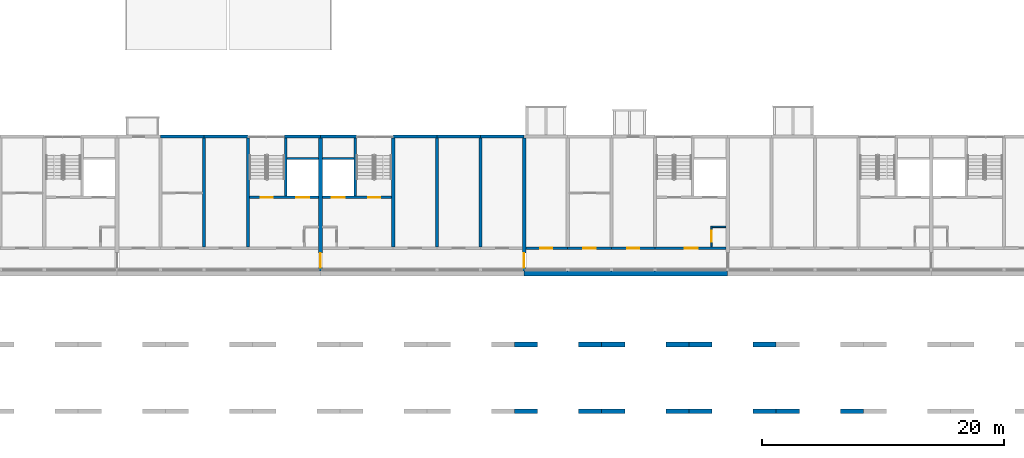
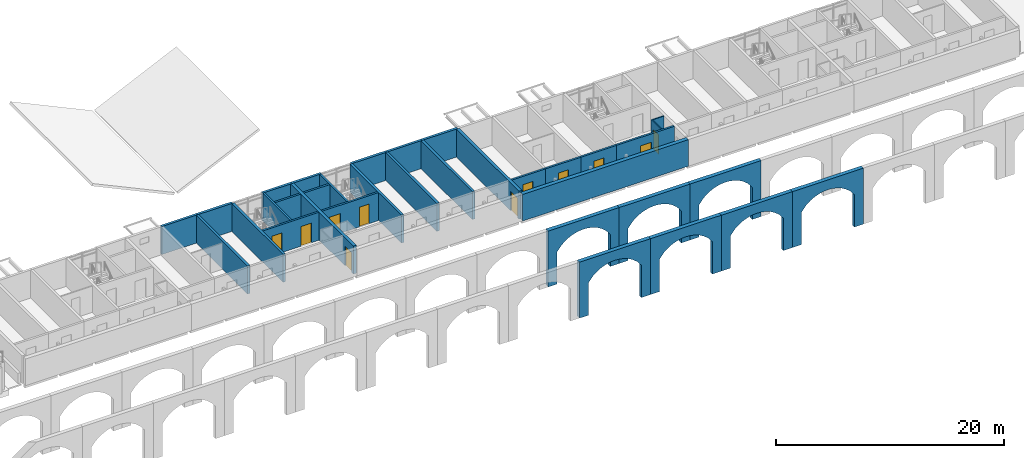
# One storey, part 55 of 122: 34 walls, 11 doors, 11 openings.
"""IFC4 building model written with IfcOpenShell, lengths in metres."""

from ifc_helpers import new_model, si_unit, direction, frame, frame_2d, origin, place, context, subcontext, project, spatial, polyline, rectangle, outline, extrude, material, layer, layer_set, type_object, element, fill, save


model = new_model("IFC4")

# Units and contexts
model_context = context("Model", 3, precision=1e-05, world=origin(), true_north=direction((0.0, 1.0)))
body_context = subcontext(model_context, "Body", "Model", "MODEL_VIEW")
ifc_project = project(units=[si_unit("LENGTHUNIT", "METRE"), si_unit("AREAUNIT", "SQUARE_METRE"), si_unit("VOLUMEUNIT", "CUBIC_METRE"), si_unit("PLANEANGLEUNIT", "RADIAN"), si_unit("MASSUNIT", "GRAM", prefix="KILO")], contexts=[model_context])

# Site, building, storey
site_placement = place(None, origin())
site = spatial("IfcSite", under=ifc_project, at=site_placement, CompositionType="ELEMENT")
building_placement = place(site_placement, origin())
building = spatial("IfcBuilding", under=site, at=building_placement, Name="Ridgestep Commons", CompositionType="ELEMENT")
storey_placement = place(building_placement, frame((0.0, 0.0, 3.0)))
storey = spatial("IfcBuildingStorey", under=building, at=storey_placement, Name="L01", CompositionType="ELEMENT", Elevation=3.0)

# Walls
ifc_material_1 = material(Name="Precast concrete C40/50", Category="concrete")
ifc_layer_1 = layer(ifc_material_1, 0.39990234375)
ifc_layer_set_1 = layer_set([ifc_layer_1], Name="Community south arcade inner wall 400")
wall_type_1 = type_object("IfcWallType", Name="Community south arcade inner wall 400", PredefinedType="SOLIDWALL", material=ifc_layer_set_1)
wall_1_placement = place(storey_placement, frame((61.60009765625, 5.5, -3.25), z_axis=(0.0, -1.0, 0.0), x_axis=(1.0, 0.0, 0.0)))
element("IfcWall", 1, at=wall_1_placement, inside=storey, type_object=wall_type_1, Name="South arcade inner wall", PredefinedType="SOLIDWALL", context=body_context, shape_type="SweptSolid", body=[
    extrude(outline(polyline([(0.0, 0.0), (0.89990234375, 0.0), (0.89990234375, 3.449951171875), (1.349853515625, 4.01708984375), (1.7998046875, 4.3916015625), (2.25, 4.649169921875), (2.699951171875, 4.820068359375), (3.14990234375, 4.91796875), (3.599853515625, 4.949951171875), (4.0498046875, 4.91796875), (4.5, 4.820068359375), (4.949951171875, 4.649169921875), (5.39990234375, 4.3916015625), (5.849853515625, 4.01708984375), (6.2998046875, 3.449951171875), (6.2998046875, 0.0), (7.199951171875, 0.0), (7.199951171875, 6.0), (0.0, 6.0), (0.0, 0.0)])), origin(), (0.0, 0.0, -1.0), 0.39990234375),
])
wall_2_placement = place(storey_placement, frame((68.800048828125, 5.5, -3.25), z_axis=(0.0, -1.0, 0.0), x_axis=(1.0, 0.0, 0.0)))
element("IfcWall", 2, at=wall_2_placement, inside=storey, type_object=wall_type_1, Name="South arcade inner wall", PredefinedType="SOLIDWALL", context=body_context, shape_type="SweptSolid", body=[
    extrude(outline(polyline([(0.0, 0.0), (0.89990234375, 0.0), (0.89990234375, 3.449951171875), (1.349853515625, 4.01708984375), (1.800048828125, 4.3916015625), (2.25, 4.649169921875), (2.699951171875, 4.820068359375), (3.14990234375, 4.91796875), (3.599853515625, 4.949951171875), (4.050048828125, 4.91796875), (4.5, 4.820068359375), (4.949951171875, 4.649169921875), (5.39990234375, 4.3916015625), (5.849853515625, 4.01708984375), (6.300048828125, 3.449951171875), (6.300048828125, 0.0), (7.199951171875, 0.0), (7.199951171875, 6.0), (0.0, 6.0), (0.0, 0.0)])), origin(), (0.0, 0.0, -1.0), 0.39990234375),
])
wall_3_placement = place(storey_placement, frame((76.0, 5.5, -3.25), z_axis=(0.0, -1.0, 0.0), x_axis=(1.0, 0.0, 0.0)))
element("IfcWall", 3, at=wall_3_placement, inside=storey, type_object=wall_type_1, Name="South arcade inner wall", PredefinedType="SOLIDWALL", context=body_context, shape_type="SweptSolid", body=[
    extrude(outline(polyline([(0.0, 0.0), (0.89990234375, 0.0), (0.89990234375, 3.449951171875), (1.35009765625, 4.01708984375), (1.800048828125, 4.3916015625), (2.25, 4.649169921875), (2.699951171875, 4.820068359375), (3.14990234375, 4.91796875), (3.60009765625, 4.949951171875), (4.050048828125, 4.91796875), (4.5, 4.820068359375), (4.949951171875, 4.649169921875), (5.39990234375, 4.3916015625), (5.85009765625, 4.01708984375), (6.300048828125, 3.449951171875), (6.300048828125, 0.0), (7.199951171875, 0.0), (7.199951171875, 6.0), (0.0, 6.0), (0.0, 0.0)])), origin(), (0.0, 0.0, -1.0), 0.39990234375),
])
ifc_material_2 = material(Name="Precast concrete C40/50", Category="concrete")
ifc_layer_2 = layer(ifc_material_2, 0.39990234375)
ifc_layer_set_2 = layer_set([ifc_layer_2], Name="Community south arcade wall 400")
wall_type_2 = type_object("IfcWallType", Name="Community south arcade wall 400", PredefinedType="SOLIDWALL", material=ifc_layer_set_2)
wall_4_placement = place(storey_placement, frame((61.60009765625, 0.001953125, -3.25), z_axis=(0.0, -1.0, 0.0), x_axis=(1.0, 0.0, 0.0)))
element("IfcWall", 4, at=wall_4_placement, inside=storey, type_object=wall_type_2, Name="South arcade wall", PredefinedType="SOLIDWALL", context=body_context, shape_type="SweptSolid", body=[
    extrude(outline(polyline([(0.0, 0.0), (0.89990234375, 0.0), (0.89990234375, 3.449951171875), (1.349853515625, 4.01708984375), (1.7998046875, 4.3916015625), (2.25, 4.649169921875), (2.699951171875, 4.820068359375), (3.14990234375, 4.91796875), (3.599853515625, 4.949951171875), (4.0498046875, 4.91796875), (4.5, 4.820068359375), (4.949951171875, 4.649169921875), (5.39990234375, 4.3916015625), (5.849853515625, 4.01708984375), (6.2998046875, 3.449951171875), (6.2998046875, 0.0), (7.199951171875, 0.0), (7.199951171875, 6.0), (0.0, 6.0), (0.0, 0.0)])), origin(), (0.0, 0.0, -1.0), 0.39990234375),
])
wall_5_placement = place(storey_placement, frame((68.800048828125, 0.001953125, -3.25), z_axis=(0.0, -1.0, 0.0), x_axis=(1.0, 0.0, 0.0)))
element("IfcWall", 5, at=wall_5_placement, inside=storey, type_object=wall_type_2, Name="South arcade wall", PredefinedType="SOLIDWALL", context=body_context, shape_type="SweptSolid", body=[
    extrude(outline(polyline([(0.0, 0.0), (0.89990234375, 0.0), (0.89990234375, 3.449951171875), (1.349853515625, 4.01708984375), (1.800048828125, 4.3916015625), (2.25, 4.649169921875), (2.699951171875, 4.820068359375), (3.14990234375, 4.91796875), (3.599853515625, 4.949951171875), (4.050048828125, 4.91796875), (4.5, 4.820068359375), (4.949951171875, 4.649169921875), (5.39990234375, 4.3916015625), (5.849853515625, 4.01708984375), (6.300048828125, 3.449951171875), (6.300048828125, 0.0), (7.199951171875, 0.0), (7.199951171875, 6.0), (0.0, 6.0), (0.0, 0.0)])), origin(), (0.0, 0.0, -1.0), 0.39990234375),
])
wall_6_placement = place(storey_placement, frame((76.0, 0.001953125, -3.25), z_axis=(0.0, -1.0, 0.0), x_axis=(1.0, 0.0, 0.0)))
element("IfcWall", 6, at=wall_6_placement, inside=storey, type_object=wall_type_2, Name="South arcade wall", PredefinedType="SOLIDWALL", context=body_context, shape_type="SweptSolid", body=[
    extrude(outline(polyline([(0.0, 0.0), (0.89990234375, 0.0), (0.89990234375, 3.449951171875), (1.35009765625, 4.01708984375), (1.800048828125, 4.3916015625), (2.25, 4.649169921875), (2.699951171875, 4.820068359375), (3.14990234375, 4.91796875), (3.60009765625, 4.949951171875), (4.050048828125, 4.91796875), (4.5, 4.820068359375), (4.949951171875, 4.649169921875), (5.39990234375, 4.3916015625), (5.85009765625, 4.01708984375), (6.300048828125, 3.449951171875), (6.300048828125, 0.0), (7.199951171875, 0.0), (7.199951171875, 6.0), (0.0, 6.0), (0.0, 0.0)])), origin(), (0.0, 0.0, -1.0), 0.39990234375),
])
wall_7_placement = place(storey_placement, frame((83.199951171875, 0.001953125, -3.25), z_axis=(0.0, -1.0, 0.0), x_axis=(1.0, 0.0, 0.0)))
element("IfcWall", 7, at=wall_7_placement, inside=storey, type_object=wall_type_2, Name="South arcade wall", PredefinedType="SOLIDWALL", context=body_context, shape_type="SweptSolid", body=[
    extrude(outline(polyline([(0.0, 0.0), (0.900146484375, 0.0), (0.900146484375, 3.449951171875), (1.35009765625, 4.01708984375), (1.800048828125, 4.3916015625), (2.25, 4.649169921875), (2.699951171875, 4.820068359375), (3.150146484375, 4.91796875), (3.60009765625, 4.949951171875), (4.050048828125, 4.91796875), (4.5, 4.820068359375), (4.949951171875, 4.649169921875), (5.400146484375, 4.3916015625), (5.85009765625, 4.01708984375), (6.300048828125, 3.449951171875), (6.300048828125, 0.0), (7.199951171875, 0.0), (7.199951171875, 6.0), (0.0, 6.0), (0.0, 0.0)])), origin(), (0.0, 0.0, -1.0), 0.39990234375),
])
ifc_material_3 = material(Name="Concrete C30/37", Category="concrete")
ifc_layer_3 = layer(ifc_material_3, 0.25)
ifc_layer_set_3 = layer_set([ifc_layer_3], Name="Core cross wall 250")
wall_type_3 = type_object("IfcWallType", Name="Core cross wall 250", PredefinedType="SHEAR", material=ifc_layer_set_3)
for number, where, z_axis, x_axis, name in (
    (8, (39.60009765625, 13.75, 0.0), (0.0, 0.0, 1.0), (0.0, 1.0, 0.0), "Cross wall A-01-0396"),
    (9, (51.60009765625, 13.75, 0.0), (0.0, 0.0, 1.0), (0.0, 1.0, 0.0), "Cross wall A-01-0516"),
):
    element("IfcWall", number, at=place(storey_placement, frame(where, z_axis=z_axis, x_axis=x_axis)), inside=storey, type_object=wall_type_3, Name=name, PredefinedType="SHEAR", context=body_context, shape_type="SweptSolid", body=[
        extrude(rectangle(XDim=9.0, YDim=0.25, at=frame_2d((4.5, 0.0))), origin(), (0.0, 0.0, 1.0), 3.0),
    ])

# Wall, opening, door
ifc_material_4 = material(Name="Concrete C30/37", Category="concrete")
ifc_layer_4 = layer(ifc_material_4, 0.199951171875)
ifc_layer_set_4 = layer_set([ifc_layer_4], Name="Core south wall 200")
wall_type_4 = type_object("IfcWallType", Name="Core south wall 200", PredefinedType="SHEAR", material=ifc_layer_set_4)
wall_8_placement = place(storey_placement, frame((73.199951171875, 13.64990234375, 0.0), z_axis=(0.0, 0.0, 1.0), x_axis=(1.0, 0.0, 0.0)))
wall_8 = element("IfcWall", 10, at=wall_8_placement, inside=storey, type_object=wall_type_4, Name="Core south wall A4C L01", PredefinedType="SHEAR", context=body_context, shape_type="SweptSolid", body=[
    extrude(rectangle(XDim=5.85009765625, YDim=0.199951171875, at=frame_2d((2.925048828125, 0.0))), origin(), (0.0, 0.0, 1.0), 3.0),
])
opening_1_placement = place(wall_8_placement, frame((2.4375, 0.0, 0.0)))
opening_1 = element("IfcOpeningElement", 11, at=opening_1_placement, cuts=wall_8, Name="Opening A4C/01/1", PredefinedType="OPENING", context=body_context, shape_type="SweptSolid", body=[
    extrude(rectangle(XDim=1.10009765625, YDim=2.10009765625, at=frame_2d((0.550048828125, 1.050048828125))), frame((0.0, 0.10986328125, 0.0), z_axis=(0.0, -1.0, 0.0), x_axis=(1.0, 0.0, 0.0)), (0.0, 0.0, 1.0), 0.219970703125),
])
ifc_material_5 = material(Name="Steel fire door", Category="steel")
door_type_1 = type_object("IfcDoorType", Name="Lobby door 1100 x 2100 FD60", OperationType="NOTDEFINED", PredefinedType="DOOR", material=ifc_material_5)
door_1_placement = place(opening_1_placement, origin())
door_1 = element("IfcDoor", 12, at=door_1_placement, inside=storey, type_object=door_type_1, Name="Lobby door A4C/01/1", OperationType="SINGLE_SWING_LEFT", OverallHeight=2.10009765625, OverallWidth=1.10009765625, PredefinedType="DOOR", context=body_context, shape_type="SweptSolid", body=[
    extrude(rectangle(XDim=1.10009765625, YDim=2.10009765625, at=frame_2d((0.550048828125, 1.050048828125))), frame((0.0, 0.02490234375, 0.0), z_axis=(0.0, -1.0, 0.0), x_axis=(1.0, 0.0, 0.0)), (0.0, 0.0, 1.0), 0.050048828125),
])
fill(opening_1, door_1)

ifc_material_6 = material(Name="Concrete C30/37", Category="concrete")
ifc_layer_5 = layer(ifc_material_6, 0.1201171875)
ifc_layer_set_5 = layer_set([ifc_layer_5], Name="Core wall 120")
wall_type_5 = type_object("IfcWallType", Name="Core wall 120", PredefinedType="SHEAR", material=ifc_layer_set_5)
wall_9_placement = place(storey_placement, frame((77.860107421875, 13.75, 0.0), z_axis=(0.0, 0.0, 1.0), x_axis=(0.0, 1.0, 0.0)))
wall_9 = element("IfcWall", 13, at=wall_9_placement, inside=storey, type_object=wall_type_5, Name="Core riser w wall A4C L01", PredefinedType="SHEAR", context=body_context, shape_type="SweptSolid", body=[
    extrude(rectangle(XDim=1.719970703125, YDim=0.1201171875, at=frame_2d((0.85986328125, 0.0))), origin(), (0.0, 0.0, 1.0), 3.0),
])
opening_2_placement = place(wall_9_placement, frame((0.449951171875, 0.0, 0.0)))
opening_2 = element("IfcOpeningElement", 14, at=opening_2_placement, cuts=wall_9, Name="Opening A4C/01/4", PredefinedType="OPENING", context=body_context, shape_type="SweptSolid", body=[
    extrude(rectangle(XDim=0.89990234375, YDim=2.10009765625, at=frame_2d((0.449951171875, 1.050048828125))), frame((0.0, 0.070068359375, 0.0), z_axis=(0.0, -1.0, 0.0), x_axis=(1.0, 0.0, 0.0)), (0.0, 0.0, 1.0), 0.14013671875),
])
ifc_material_7 = material(Name="Steel fire door", Category="steel")
door_type_2 = type_object("IfcDoorType", Name="Riser door 900 x 2100 FD60", OperationType="NOTDEFINED", PredefinedType="DOOR", material=ifc_material_7)
door_2_placement = place(opening_2_placement, origin())
door_2 = element("IfcDoor", 15, at=door_2_placement, inside=storey, type_object=door_type_2, Name="Riser door A4C/01/4", OperationType="SINGLE_SWING_LEFT", OverallHeight=2.10009765625, OverallWidth=0.89990234375, PredefinedType="DOOR", context=body_context, shape_type="SweptSolid", body=[
    extrude(rectangle(XDim=0.89990234375, YDim=2.10009765625, at=frame_2d((0.449951171875, 1.050048828125))), frame((0.0, 0.02490234375, 0.0), z_axis=(0.0, -1.0, 0.0), x_axis=(1.0, 0.0, 0.0)), (0.0, 0.0, 1.0), 0.050048828125),
])
fill(opening_2, door_2)

# Wall
wall_10_placement = place(storey_placement, frame((77.919921875, 15.409912109375, 0.0), z_axis=(0.0, 0.0, 1.0), x_axis=(1.0, 0.0, 0.0)))
element("IfcWall", 16, at=wall_10_placement, inside=storey, type_object=wall_type_5, Name="Core riser n wall A4C L01", PredefinedType="SHEAR", context=body_context, shape_type="SweptSolid", body=[
    extrude(rectangle(XDim=1.130126953125, YDim=0.1201171875, at=frame_2d((0.56494140625, 0.0))), origin(), (0.0, 0.0, 1.0), 3.0),
])

# Wall, openings, doors
ifc_material_8 = material(Name="Concrete C30/37", Category="concrete")
ifc_layer_6 = layer(ifc_material_8, 0.199951171875)
ifc_layer_set_6 = layer_set([ifc_layer_6], Name="Core wall 200")
wall_type_6 = type_object("IfcWallType", Name="Core wall 200", PredefinedType="SHEAR", material=ifc_layer_set_6)
wall_11_placement = place(storey_placement, frame((39.72509765625, 17.85009765625, 0.0), z_axis=(0.0, 0.0, 1.0), x_axis=(1.0, 0.0, 0.0)))
wall_11 = element("IfcWall", 17, at=wall_11_placement, inside=storey, type_object=wall_type_6, Name="Core lobby wall A2C L01", PredefinedType="SHEAR", context=body_context, shape_type="SweptSolid", body=[
    extrude(rectangle(XDim=5.724853515625, YDim=0.199951171875, at=frame_2d((2.8623046875, 0.0))), origin(), (0.0, 0.0, 1.0), 3.0),
])
opening_3_placement = place(wall_11_placement, frame((0.949951171875, 0.0, 0.0)))
opening_3 = element("IfcOpeningElement", 18, at=opening_3_placement, cuts=wall_11, Name="Opening A2C/01/2", PredefinedType="OPENING", context=body_context, shape_type="SweptSolid", body=[
    extrude(rectangle(XDim=1.0, YDim=2.10009765625, at=frame_2d((0.5, 1.050048828125))), frame((0.0, 0.10986328125, 0.0), z_axis=(0.0, -1.0, 0.0), x_axis=(1.0, 0.0, 0.0)), (0.0, 0.0, 1.0), 0.219970703125),
])
opening_4_placement = place(wall_11_placement, frame((3.862548828125, 0.0, 0.0)))
opening_4 = element("IfcOpeningElement", 19, at=opening_4_placement, cuts=wall_11, Name="Opening A2C/01/3", PredefinedType="OPENING", context=body_context, shape_type="SweptSolid", body=[
    extrude(rectangle(XDim=1.10009765625, YDim=2.10009765625, at=frame_2d((0.550048828125, 1.050048828125))), frame((0.0, 0.10986328125, 0.0), z_axis=(0.0, -1.0, 0.0), x_axis=(1.0, 0.0, 0.0)), (0.0, 0.0, 1.0), 0.219970703125),
])
ifc_material_9 = material(Name="Stainless steel", Category="steel")
door_type_3 = type_object("IfcDoorType", Name="Lift landing door 1100 x 2100 FD60", OperationType="DOUBLE_DOOR_SLIDING", PredefinedType="DOOR", material=ifc_material_9)
door_3_placement = place(opening_4_placement, origin())
door_3 = element("IfcDoor", 20, at=door_3_placement, inside=storey, type_object=door_type_3, Name="Landing door LD A2C L01", OperationType="DOUBLE_DOOR_SLIDING", OverallHeight=2.10009765625, OverallWidth=1.10009765625, PredefinedType="DOOR", context=body_context, shape_type="SweptSolid", body=[
    extrude(rectangle(XDim=1.10009765625, YDim=2.10009765625, at=frame_2d((0.550048828125, 1.050048828125))), frame((0.0, 0.02490234375, 0.0), z_axis=(0.0, -1.0, 0.0), x_axis=(1.0, 0.0, 0.0)), (0.0, 0.0, 1.0), 0.050048828125),
])
fill(opening_4, door_3)
ifc_material_10 = material(Name="Steel fire door", Category="steel")
door_type_4 = type_object("IfcDoorType", Name="Stair door 1000 x 2100 FD60", OperationType="NOTDEFINED", PredefinedType="DOOR", material=ifc_material_10)
door_4_placement = place(opening_3_placement, origin())
door_4 = element("IfcDoor", 21, at=door_4_placement, inside=storey, type_object=door_type_4, Name="Stair door A2C/01/2", OperationType="SINGLE_SWING_RIGHT", OverallHeight=2.10009765625, OverallWidth=1.0, PredefinedType="DOOR", context=body_context, shape_type="SweptSolid", body=[
    extrude(rectangle(XDim=1.0, YDim=2.10009765625, at=frame_2d((0.5, 1.050048828125))), frame((0.0, 0.02490234375, 0.0), z_axis=(0.0, -1.0, 0.0), x_axis=(1.0, 0.0, 0.0)), (0.0, 0.0, 1.0), 0.050048828125),
])
fill(opening_3, door_4)

# Walls
wall_12_placement = place(storey_placement, frame((42.72509765625, 17.949951171875, 0.0), z_axis=(0.0, 0.0, 1.0), x_axis=(0.0, 1.0, 0.0)))
element("IfcWall", 22, at=wall_12_placement, inside=storey, type_object=wall_type_6, Name="Core stair wall A2C L01", PredefinedType="SHEAR", context=body_context, shape_type="SweptSolid", body=[
    extrude(rectangle(XDim=4.800048828125, YDim=0.199951171875, at=frame_2d((2.39990234375, 0.0))), origin(), (0.0, 0.0, 1.0), 3.0),
])
wall_13_placement = place(storey_placement, frame((42.824951171875, 21.050048828125, 0.0), z_axis=(0.0, 0.0, 1.0), x_axis=(1.0, 0.0, 0.0)))
element("IfcWall", 23, at=wall_13_placement, inside=storey, type_object=wall_type_6, Name="Core duct wall A2C L01", PredefinedType="SHEAR", context=body_context, shape_type="SweptSolid", body=[
    extrude(rectangle(XDim=2.625, YDim=0.199951171875, at=frame_2d((1.3125, 0.0))), origin(), (0.0, 0.0, 1.0), 3.0),
])

# Wall, openings, doors
wall_14_placement = place(storey_placement, frame((45.75, 17.85009765625, 0.0), z_axis=(0.0, 0.0, 1.0), x_axis=(1.0, 0.0, 0.0)))
wall_14 = element("IfcWall", 24, at=wall_14_placement, inside=storey, type_object=wall_type_6, Name="Core lobby wall A3C L01", PredefinedType="SHEAR", context=body_context, shape_type="SweptSolid", body=[
    extrude(rectangle(XDim=5.72509765625, YDim=0.199951171875, at=frame_2d((2.862548828125, 0.0))), origin(), (0.0, 0.0, 1.0), 3.0),
])
opening_5_placement = place(wall_14_placement, frame((3.77490234375, 0.0, 0.0)))
opening_5 = element("IfcOpeningElement", 25, at=opening_5_placement, cuts=wall_14, Name="Opening A3C/01/2", PredefinedType="OPENING", context=body_context, shape_type="SweptSolid", body=[
    extrude(rectangle(XDim=1.0, YDim=2.10009765625, at=frame_2d((0.5, 1.050048828125))), frame((0.0, 0.10986328125, 0.0), z_axis=(0.0, -1.0, 0.0), x_axis=(1.0, 0.0, 0.0)), (0.0, 0.0, 1.0), 0.219970703125),
])
opening_6_placement = place(wall_14_placement, frame((0.762451171875, 0.0, 0.0)))
opening_6 = element("IfcOpeningElement", 26, at=opening_6_placement, cuts=wall_14, Name="Opening A3C/01/3", PredefinedType="OPENING", context=body_context, shape_type="SweptSolid", body=[
    extrude(rectangle(XDim=1.10009765625, YDim=2.10009765625, at=frame_2d((0.550048828125, 1.050048828125))), frame((0.0, 0.10986328125, 0.0), z_axis=(0.0, -1.0, 0.0), x_axis=(1.0, 0.0, 0.0)), (0.0, 0.0, 1.0), 0.219970703125),
])
door_5_placement = place(opening_6_placement, origin())
door_5 = element("IfcDoor", 27, at=door_5_placement, inside=storey, type_object=door_type_3, Name="Landing door LD A3C L01", OperationType="DOUBLE_DOOR_SLIDING", OverallHeight=2.10009765625, OverallWidth=1.10009765625, PredefinedType="DOOR", context=body_context, shape_type="SweptSolid", body=[
    extrude(rectangle(XDim=1.10009765625, YDim=2.10009765625, at=frame_2d((0.550048828125, 1.050048828125))), frame((0.0, 0.02490234375, 0.0), z_axis=(0.0, -1.0, 0.0), x_axis=(1.0, 0.0, 0.0)), (0.0, 0.0, 1.0), 0.050048828125),
])
fill(opening_6, door_5)
door_6_placement = place(opening_5_placement, origin())
door_6 = element("IfcDoor", 28, at=door_6_placement, inside=storey, type_object=door_type_4, Name="Stair door A3C/01/2", OperationType="SINGLE_SWING_RIGHT", OverallHeight=2.10009765625, OverallWidth=1.0, PredefinedType="DOOR", context=body_context, shape_type="SweptSolid", body=[
    extrude(rectangle(XDim=1.0, YDim=2.10009765625, at=frame_2d((0.5, 1.050048828125))), frame((0.0, 0.02490234375, 0.0), z_axis=(0.0, -1.0, 0.0), x_axis=(1.0, 0.0, 0.0)), (0.0, 0.0, 1.0), 0.050048828125),
])
fill(opening_5, door_6)

# Walls
wall_15_placement = place(storey_placement, frame((48.47509765625, 17.949951171875, 0.0), z_axis=(0.0, 0.0, 1.0), x_axis=(0.0, 1.0, 0.0)))
element("IfcWall", 29, at=wall_15_placement, inside=storey, type_object=wall_type_6, Name="Core stair wall A3C L01", PredefinedType="SHEAR", context=body_context, shape_type="SweptSolid", body=[
    extrude(rectangle(XDim=4.800048828125, YDim=0.199951171875, at=frame_2d((2.39990234375, 0.0))), origin(), (0.0, 0.0, 1.0), 3.0),
])
wall_16_placement = place(storey_placement, frame((45.75, 21.050048828125, 0.0), z_axis=(0.0, 0.0, 1.0), x_axis=(1.0, 0.0, 0.0)))
element("IfcWall", 30, at=wall_16_placement, inside=storey, type_object=wall_type_6, Name="Core duct wall A3C L01", PredefinedType="SHEAR", context=body_context, shape_type="SweptSolid", body=[
    extrude(rectangle(XDim=2.625, YDim=0.199951171875, at=frame_2d((1.3125, 0.0))), origin(), (0.0, 0.0, 1.0), 3.0),
])
ifc_material_11 = material(Name="Precast concrete C40/50", Category="concrete")
ifc_layer_7 = layer(ifc_material_11, 0.25)
ifc_layer_set_7 = layer_set([ifc_layer_7], Name="Cross wall 250")
wall_type_7 = type_object("IfcWallType", Name="Cross wall 250", PredefinedType="SHEAR", material=ifc_layer_set_7)
for number, where, z_axis, x_axis, name in (
    (31, (36.0, 13.75, 0.0), (0.0, 0.0, 1.0), (0.0, 1.0, 0.0), "Cross wall A-01-0360"),
    (32, (55.199951171875, 13.75, 0.0), (0.0, 0.0, 1.0), (0.0, 1.0, 0.0), "Cross wall A-01-0552"),
    (33, (58.800048828125, 13.75, 0.0), (0.0, 0.0, 1.0), (0.0, 1.0, 0.0), "Cross wall A-01-0588"),
):
    element("IfcWall", number, at=place(storey_placement, frame(where, z_axis=z_axis, x_axis=x_axis)), inside=storey, type_object=wall_type_7, Name=name, PredefinedType="SHEAR", context=body_context, shape_type="SweptSolid", body=[
        extrude(rectangle(XDim=9.0, YDim=0.25, at=frame_2d((4.5, 0.0))), origin(), (0.0, 0.0, 1.0), 3.0),
    ])

# Wall, opening, door
ifc_material_12 = material(Name="Precast concrete C40/50", Category="concrete")
ifc_layer_8 = layer(ifc_material_12, 0.300048828125)
ifc_layer_set_8 = layer_set([ifc_layer_8], Name="Division wall 300")
wall_type_8 = type_object("IfcWallType", Name="Division wall 300", PredefinedType="SHEAR", material=ifc_layer_set_8)
wall_17_placement = place(storey_placement, frame((45.60009765625, 11.75, 0.0), z_axis=(0.0, 0.0, 1.0), x_axis=(0.0, 1.0, 0.0)))
wall_17 = element("IfcWall", 34, at=wall_17_placement, inside=storey, type_object=wall_type_8, Name="Cross wall A-01-0456", PredefinedType="SHEAR", context=body_context, shape_type="SweptSolid", body=[
    extrude(rectangle(XDim=11.0, YDim=0.300048828125, at=frame_2d((5.5, 0.0))), origin(), (0.0, 0.0, 1.0), 3.0),
])
opening_7_placement = place(wall_17_placement, frame((0.300048828125, 0.0, 0.0)))
opening_7 = element("IfcOpeningElement", 35, at=opening_7_placement, cuts=wall_17, Name="Opening A/01/G0456", PredefinedType="OPENING", context=body_context, shape_type="SweptSolid", body=[
    extrude(rectangle(XDim=1.199951171875, YDim=2.10009765625, at=frame_2d((0.60009765625, 1.050048828125))), frame((0.0, 0.159912109375, 0.0), z_axis=(0.0, -1.0, 0.0), x_axis=(1.0, 0.0, 0.0)), (0.0, 0.0, 1.0), 0.320068359375),
])
ifc_material_13 = material(Name="Steel fire door", Category="steel")
door_type_5 = type_object("IfcDoorType", Name="Division fire door 1200 x 2100 EI 240", OperationType="DOUBLE_DOOR_SINGLE_SWING", PredefinedType="DOOR", material=ifc_material_13)
door_7_placement = place(opening_7_placement, origin())
door_7 = element("IfcDoor", 36, at=door_7_placement, inside=storey, type_object=door_type_5, Name="Division fire door A/01/G0456", OperationType="DOUBLE_DOOR_SINGLE_SWING", OverallHeight=2.10009765625, OverallWidth=1.199951171875, PredefinedType="DOOR", context=body_context, shape_type="SweptSolid", body=[
    extrude(rectangle(XDim=1.199951171875, YDim=2.10009765625, at=frame_2d((0.60009765625, 1.050048828125))), frame((0.0, 0.02490234375, 0.0), z_axis=(0.0, -1.0, 0.0), x_axis=(1.0, 0.0, 0.0)), (0.0, 0.0, 1.0), 0.050048828125),
])
fill(opening_7, door_7)

wall_18_placement = place(storey_placement, frame((62.39990234375, 11.75, 0.0), z_axis=(0.0, 0.0, 1.0), x_axis=(0.0, 1.0, 0.0)))
wall_18 = element("IfcWall", 37, at=wall_18_placement, inside=storey, type_object=wall_type_8, Name="Cross wall A-01-0624", PredefinedType="SHEAR", context=body_context, shape_type="SweptSolid", body=[
    extrude(rectangle(XDim=11.0, YDim=0.300048828125, at=frame_2d((5.5, 0.0))), origin(), (0.0, 0.0, 1.0), 3.0),
])
opening_8_placement = place(wall_18_placement, frame((0.300048828125, 0.0, 0.0)))
opening_8 = element("IfcOpeningElement", 38, at=opening_8_placement, cuts=wall_18, Name="Opening A/01/G0624", PredefinedType="OPENING", context=body_context, shape_type="SweptSolid", body=[
    extrude(rectangle(XDim=1.199951171875, YDim=2.10009765625, at=frame_2d((0.60009765625, 1.050048828125))), frame((0.0, 0.159912109375, 0.0), z_axis=(0.0, -1.0, 0.0), x_axis=(1.0, 0.0, 0.0)), (0.0, 0.0, 1.0), 0.320068359375),
])
door_8_placement = place(opening_8_placement, origin())
door_8 = element("IfcDoor", 39, at=door_8_placement, inside=storey, type_object=door_type_5, Name="Division fire door A/01/G0624", OperationType="DOUBLE_DOOR_SINGLE_SWING", OverallHeight=2.10009765625, OverallWidth=1.199951171875, PredefinedType="DOOR", context=body_context, shape_type="SweptSolid", body=[
    extrude(rectangle(XDim=1.199951171875, YDim=2.10009765625, at=frame_2d((0.60009765625, 1.050048828125))), frame((0.0, 0.02490234375, 0.0), z_axis=(0.0, -1.0, 0.0), x_axis=(1.0, 0.0, 0.0)), (0.0, 0.0, 1.0), 0.050048828125),
])
fill(opening_8, door_8)

# Walls
ifc_material_14 = material(Name="Precast concrete C40/50", Category="concrete")
ifc_layer_9 = layer(ifc_material_14, 0.25)
ifc_layer_set_9 = layer_set([ifc_layer_9], Name="North facade panel 250")
wall_type_9 = type_object("IfcWallType", Name="North facade panel 250", PredefinedType="SOLIDWALL", material=ifc_layer_set_9)
for number, where, z_axis, x_axis, name in (
    (40, (32.39990234375, 22.875, 0.0), (0.0, 0.0, 1.0), (1.0, 0.0, 0.0), "North panel A2T2 L01"),
    (41, (36.0, 22.875, 0.0), (0.0, 0.0, 1.0), (1.0, 0.0, 0.0), "North panel A2T3 L01"),
):
    element("IfcWall", number, at=place(storey_placement, frame(where, z_axis=z_axis, x_axis=x_axis)), inside=storey, type_object=wall_type_9, Name=name, PredefinedType="SOLIDWALL", context=body_context, shape_type="SweptSolid", body=[
        extrude(rectangle(XDim=3.60009765625, YDim=0.25, at=frame_2d((1.800048828125, 0.0))), origin(), (0.0, 0.0, 1.0), 3.0),
    ])
wall_19_placement = place(storey_placement, frame((42.625, 22.875, 0.0), z_axis=(0.0, 0.0, 1.0), x_axis=(1.0, 0.0, 0.0)))
element("IfcWall", 42, at=wall_19_placement, inside=storey, type_object=wall_type_9, Name="North panel A2C L01", PredefinedType="SOLIDWALL", context=body_context, shape_type="SweptSolid", body=[
    extrude(rectangle(XDim=2.97509765625, YDim=0.25, at=frame_2d((1.487548828125, 0.0))), origin(), (0.0, 0.0, 1.0), 3.0),
])
wall_20_placement = place(storey_placement, frame((45.60009765625, 22.875, 0.0), z_axis=(0.0, 0.0, 1.0), x_axis=(1.0, 0.0, 0.0)))
element("IfcWall", 43, at=wall_20_placement, inside=storey, type_object=wall_type_9, Name="North panel A3C L01", PredefinedType="SOLIDWALL", context=body_context, shape_type="SweptSolid", body=[
    extrude(rectangle(XDim=2.974853515625, YDim=0.25, at=frame_2d((1.4873046875, 0.0))), origin(), (0.0, 0.0, 1.0), 3.0),
])
wall_21_placement = place(storey_placement, frame((51.60009765625, 22.875, 0.0), z_axis=(0.0, 0.0, 1.0), x_axis=(1.0, 0.0, 0.0)))
element("IfcWall", 44, at=wall_21_placement, inside=storey, type_object=wall_type_9, Name="North panel A3T3 L01", PredefinedType="SOLIDWALL", context=body_context, shape_type="SweptSolid", body=[
    extrude(rectangle(XDim=3.599853515625, YDim=0.25, at=frame_2d((1.7998046875, 0.0))), origin(), (0.0, 0.0, 1.0), 3.0),
])
wall_22_placement = place(storey_placement, frame((55.199951171875, 22.875, 0.0), z_axis=(0.0, 0.0, 1.0), x_axis=(1.0, 0.0, 0.0)))
element("IfcWall", 45, at=wall_22_placement, inside=storey, type_object=wall_type_9, Name="North panel A3T2 L01", PredefinedType="SOLIDWALL", context=body_context, shape_type="SweptSolid", body=[
    extrude(rectangle(XDim=3.60009765625, YDim=0.25, at=frame_2d((1.800048828125, 0.0))), origin(), (0.0, 0.0, 1.0), 3.0),
])
wall_23_placement = place(storey_placement, frame((58.800048828125, 22.875, 0.0), z_axis=(0.0, 0.0, 1.0), x_axis=(1.0, 0.0, 0.0)))
element("IfcWall", 46, at=wall_23_placement, inside=storey, type_object=wall_type_9, Name="North panel A3T1 L01", PredefinedType="SOLIDWALL", context=body_context, shape_type="SweptSolid", body=[
    extrude(rectangle(XDim=3.599853515625, YDim=0.25, at=frame_2d((1.7998046875, 0.0))), origin(), (0.0, 0.0, 1.0), 3.0),
])
ifc_material_15 = material(Name="Concrete C30/37", Category="concrete")
ifc_layer_10 = layer(ifc_material_15, 0.39990234375)
ifc_layer_set_10 = layer_set([ifc_layer_10], Name="Plinth retaining wall 400")
wall_type_10 = type_object("IfcWallType", Name="Plinth retaining wall 400", PredefinedType="SOLIDWALL", material=ifc_layer_set_10)
wall_24_placement = place(storey_placement, frame((62.39990234375, 11.550048828125, 0.0), z_axis=(0.0, 0.0, 1.0), x_axis=(1.0, 0.0, 0.0)))
element("IfcWall", 47, at=wall_24_placement, inside=storey, type_object=wall_type_10, Name="Plinth retaining wall A4 L01", PredefinedType="SOLIDWALL", context=body_context, shape_type="SweptSolid", body=[
    extrude(rectangle(XDim=16.800048828125, YDim=0.39990234375, at=frame_2d((8.39990234375, 0.0))), origin(), (0.0, 0.0, 1.0), 2.85009765625),
])

# Wall, opening, door
ifc_material_16 = material(Name="Precast concrete C40/50", Category="concrete")
ifc_layer_11 = layer(ifc_material_16, 0.199951171875)
ifc_layer_set_11 = layer_set([ifc_layer_11], Name="South facade panel 200")
wall_type_11 = type_object("IfcWallType", Name="South facade panel 200", PredefinedType="SOLIDWALL", material=ifc_layer_set_11)
wall_25_placement = place(storey_placement, frame((62.550048828125, 13.64990234375, 0.0), z_axis=(0.0, 0.0, 1.0), x_axis=(1.0, 0.0, 0.0)))
wall_25 = element("IfcWall", 48, at=wall_25_placement, inside=storey, type_object=wall_type_11, Name="South panel A4T1 L01", PredefinedType="SOLIDWALL", context=body_context, shape_type="SweptSolid", body=[
    extrude(rectangle(XDim=3.449951171875, YDim=0.199951171875, at=frame_2d((1.72509765625, 0.0))), origin(), (0.0, 0.0, 1.0), 3.0),
])
opening_9_placement = place(wall_25_placement, frame((1.16259765625, 0.0, 0.0)))
opening_9 = element("IfcOpeningElement", 49, at=opening_9_placement, cuts=wall_25, Name="Opening A4-01p/1", PredefinedType="OPENING", context=body_context, shape_type="SweptSolid", body=[
    extrude(rectangle(XDim=1.0, YDim=2.10009765625, at=frame_2d((0.5, 1.050048828125))), frame((0.0, 0.10986328125, 0.0), z_axis=(0.0, -1.0, 0.0), x_axis=(1.0, 0.0, 0.0)), (0.0, 0.0, 1.0), 0.219970703125),
])
ifc_material_17 = material(Name="Steel door leaf", Category="steel")
door_type_6 = type_object("IfcDoorType", Name="Store door 1000 x 2100", OperationType="NOTDEFINED", PredefinedType="DOOR", material=ifc_material_17)
door_9_placement = place(opening_9_placement, origin())
door_9 = element("IfcDoor", 50, at=door_9_placement, inside=storey, type_object=door_type_6, Name="Store door A4-01p/1", OperationType="SINGLE_SWING_RIGHT", OverallHeight=2.10009765625, OverallWidth=1.0, PredefinedType="DOOR", context=body_context, shape_type="SweptSolid", body=[
    extrude(rectangle(XDim=1.0, YDim=2.10009765625, at=frame_2d((0.5, 1.050048828125))), frame((0.0, 0.02490234375, 0.0), z_axis=(0.0, -1.0, 0.0), x_axis=(1.0, 0.0, 0.0)), (0.0, 0.0, 1.0), 0.050048828125),
])
fill(opening_9, door_9)

wall_26_placement = place(storey_placement, frame((66.0, 13.64990234375, 0.0), z_axis=(0.0, 0.0, 1.0), x_axis=(1.0, 0.0, 0.0)))
wall_26 = element("IfcWall", 51, at=wall_26_placement, inside=storey, type_object=wall_type_11, Name="South panel A4T2 L01", PredefinedType="SOLIDWALL", context=body_context, shape_type="SweptSolid", body=[
    extrude(rectangle(XDim=3.60009765625, YDim=0.199951171875, at=frame_2d((1.800048828125, 0.0))), origin(), (0.0, 0.0, 1.0), 3.0),
])
opening_10_placement = place(wall_26_placement, frame((1.300048828125, 0.0, 0.0)))
opening_10 = element("IfcOpeningElement", 52, at=opening_10_placement, cuts=wall_26, Name="Opening A4-01p/2", PredefinedType="OPENING", context=body_context, shape_type="SweptSolid", body=[
    extrude(rectangle(XDim=1.0, YDim=2.10009765625, at=frame_2d((0.5, 1.050048828125))), frame((0.0, 0.10986328125, 0.0), z_axis=(0.0, -1.0, 0.0), x_axis=(1.0, 0.0, 0.0)), (0.0, 0.0, 1.0), 0.219970703125),
])
door_10_placement = place(opening_10_placement, origin())
door_10 = element("IfcDoor", 53, at=door_10_placement, inside=storey, type_object=door_type_6, Name="Store door A4-01p/2", OperationType="SINGLE_SWING_RIGHT", OverallHeight=2.10009765625, OverallWidth=1.0, PredefinedType="DOOR", context=body_context, shape_type="SweptSolid", body=[
    extrude(rectangle(XDim=1.0, YDim=2.10009765625, at=frame_2d((0.5, 1.050048828125))), frame((0.0, 0.02490234375, 0.0), z_axis=(0.0, -1.0, 0.0), x_axis=(1.0, 0.0, 0.0)), (0.0, 0.0, 1.0), 0.050048828125),
])
fill(opening_10, door_10)

wall_27_placement = place(storey_placement, frame((69.60009765625, 13.64990234375, 0.0), z_axis=(0.0, 0.0, 1.0), x_axis=(1.0, 0.0, 0.0)))
wall_27 = element("IfcWall", 54, at=wall_27_placement, inside=storey, type_object=wall_type_11, Name="South panel A4T3 L01", PredefinedType="SOLIDWALL", context=body_context, shape_type="SweptSolid", body=[
    extrude(rectangle(XDim=3.599853515625, YDim=0.199951171875, at=frame_2d((1.7998046875, 0.0))), origin(), (0.0, 0.0, 1.0), 3.0),
])
opening_11_placement = place(wall_27_placement, frame((1.300048828125, 0.0, 0.0)))
opening_11 = element("IfcOpeningElement", 55, at=opening_11_placement, cuts=wall_27, Name="Opening A4-01p/4", PredefinedType="OPENING", context=body_context, shape_type="SweptSolid", body=[
    extrude(rectangle(XDim=1.0, YDim=2.10009765625, at=frame_2d((0.5, 1.050048828125))), frame((0.0, 0.10986328125, 0.0), z_axis=(0.0, -1.0, 0.0), x_axis=(1.0, 0.0, 0.0)), (0.0, 0.0, 1.0), 0.219970703125),
])
door_11_placement = place(opening_11_placement, origin())
door_11 = element("IfcDoor", 56, at=door_11_placement, inside=storey, type_object=door_type_6, Name="Store door A4-01p/4", OperationType="SINGLE_SWING_RIGHT", OverallHeight=2.10009765625, OverallWidth=1.0, PredefinedType="DOOR", context=body_context, shape_type="SweptSolid", body=[
    extrude(rectangle(XDim=1.0, YDim=2.10009765625, at=frame_2d((0.5, 1.050048828125))), frame((0.0, 0.02490234375, 0.0), z_axis=(0.0, -1.0, 0.0), x_axis=(1.0, 0.0, 0.0)), (0.0, 0.0, 1.0), 0.050048828125),
])
fill(opening_11, door_11)

save(model, "model.ifc")
